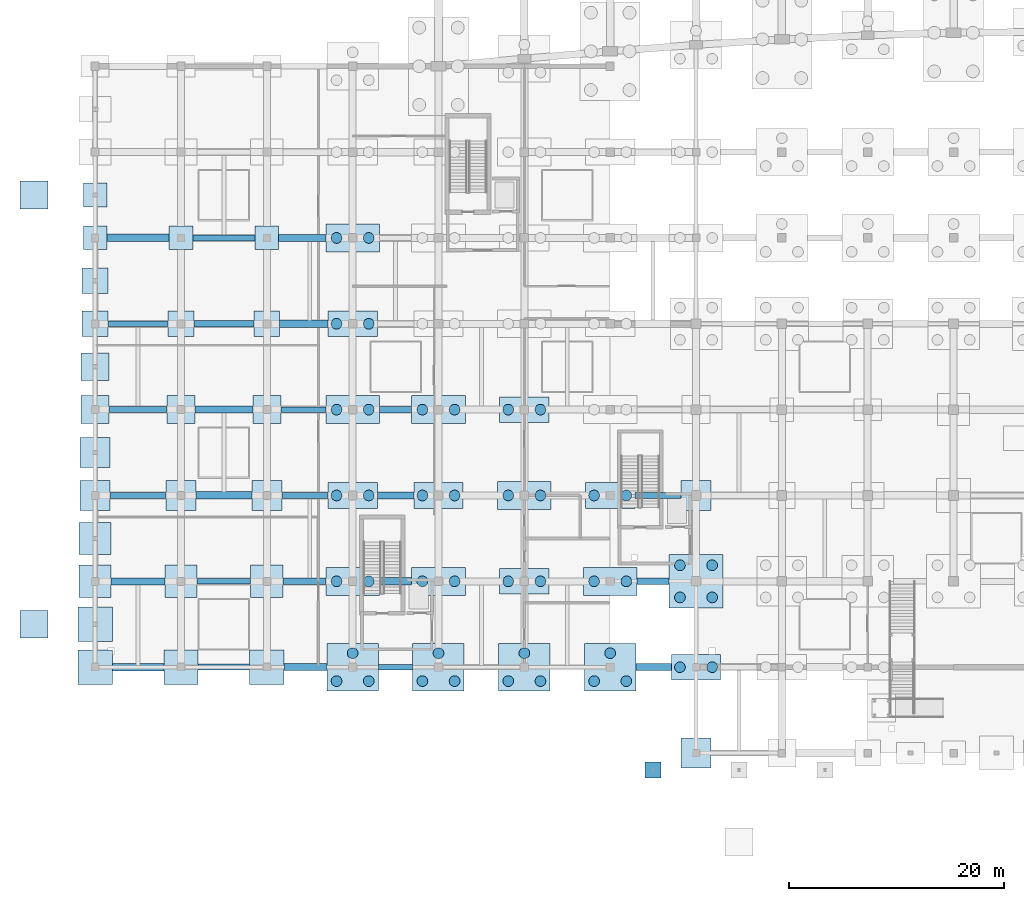
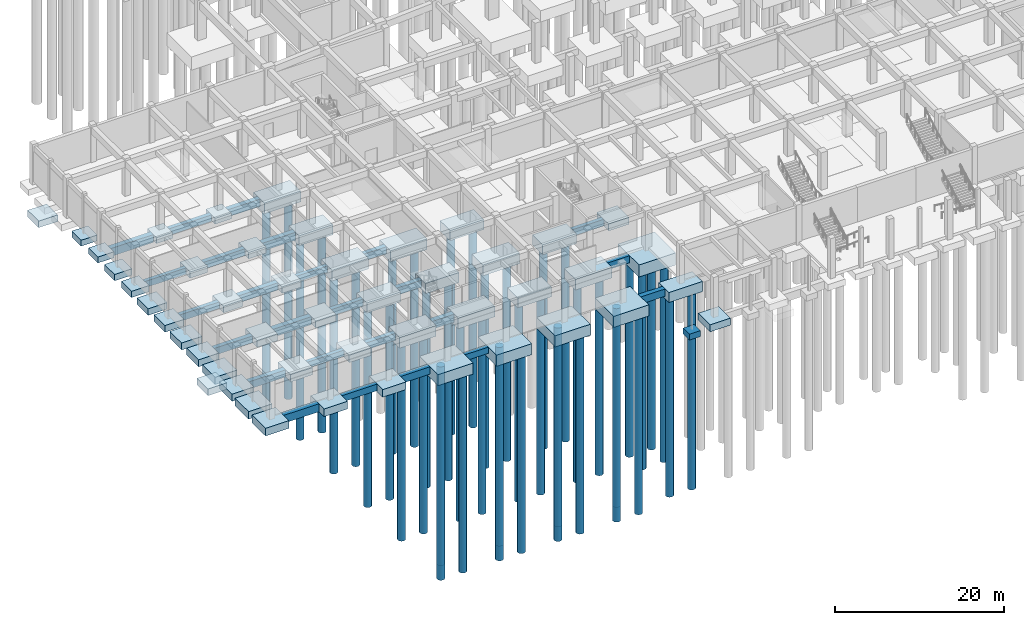
# One storey, part 1 of 45: 73 footings, 44 piles.
"""IFC4 building model written with IfcOpenShell, lengths in metres."""

from ifc_helpers import new_model, si_unit, direction, frame, origin, origin_2d, place, context, subcontext, project, spatial, rectangle, circle, extrude, material, material_profile, profile_set, type_object, element, save


model = new_model("IFC4")

# Units and contexts
model_context = context("Model", 3, precision=1e-05, world=origin(), true_north=direction((0.0, 1.0)))
body_context = subcontext(model_context, "Body", "Model", "MODEL_VIEW")
ifc_project = project(units=[si_unit("LENGTHUNIT", "METRE"), si_unit("AREAUNIT", "SQUARE_METRE"), si_unit("VOLUMEUNIT", "CUBIC_METRE"), si_unit("PLANEANGLEUNIT", "RADIAN"), si_unit("MASSUNIT", "GRAM", prefix="KILO")], contexts=[model_context])

# Site, building, storey
site_placement = place(None, origin())
site = spatial("IfcSite", under=ifc_project, at=site_placement, CompositionType="ELEMENT")
building_placement = place(site_placement, origin())
building = spatial("IfcBuilding", under=site, at=building_placement, Name="Kenh Van Central Station", CompositionType="ELEMENT")
storey_placement = place(building_placement, frame((0.0, 0.0, -5.39990234375)))
storey = spatial("IfcBuildingStorey", under=building, at=storey_placement, Name="B1", CompositionType="ELEMENT", Elevation=-5.39990234375)

# Footings
ifc_material = material(Name="Concrete C40/50", Category="concrete")
ifc_material_profile_1 = material_profile(ifc_material, rectangle(XDim=0.5, YDim=0.89990234375, at=origin_2d()), Name="RC 500x900")
ifc_profile_set_1 = profile_set([ifc_material_profile_1], Name="Concrete C40/50")
footing_type_1 = type_object("IfcFootingType", Name="FBM-500x900", PredefinedType="FOOTING_BEAM", material=ifc_profile_set_1)
footing_1_placement = place(storey_placement, frame((1.199951171875, 40.0, -0.85009765625), z_axis=(1.0, 0.0, 0.0), x_axis=(0.0, 1.0, 0.0)))
element("IfcFooting", 1, at=footing_1_placement, inside=storey, type_object=footing_type_1, Name="Ground tie beam 009", PredefinedType="FOOTING_BEAM", context=body_context, shape_type="SweptSolid", body=[
    extrude(rectangle(XDim=0.5, YDim=0.89990234375, at=origin_2d()), origin(), (0.0, 0.0, 1.0), 5.60009765625),
])
footing_2_placement = place(storey_placement, frame((9.5, 16.0, -0.85009765625), z_axis=(1.0, 0.0, 0.0), x_axis=(0.0, 1.0, 0.0)))
element("IfcFooting", 2, at=footing_2_placement, inside=storey, type_object=footing_type_1, Name="Ground tie beam 014", PredefinedType="FOOTING_BEAM", context=body_context, shape_type="SweptSolid", body=[
    extrude(rectangle(XDim=0.5, YDim=0.89990234375, at=origin_2d()), origin(), (0.0, 0.0, 1.0), 5.0),
])
footing_3_placement = place(storey_placement, frame((17.300048828125, 32.0, -0.85009765625), z_axis=(1.0, 0.0, 0.0), x_axis=(0.0, 1.0, 0.0)))
element("IfcFooting", 3, at=footing_3_placement, inside=storey, type_object=footing_type_1, Name="Ground tie beam 024", PredefinedType="FOOTING_BEAM", context=body_context, shape_type="SweptSolid", body=[
    extrude(rectangle(XDim=0.5, YDim=0.89990234375, at=origin_2d()), origin(), (0.0, 0.0, 1.0), 4.199951171875),
])
footing_4_placement = place(storey_placement, frame((26.39990234375, 8.0, -0.85009765625), z_axis=(1.0, 0.0, 0.0), x_axis=(0.0, 1.0, 0.0)))
element("IfcFooting", 4, at=footing_4_placement, inside=storey, type_object=footing_type_1, Name="Ground tie beam 029", PredefinedType="FOOTING_BEAM", context=body_context, shape_type="SweptSolid", body=[
    extrude(rectangle(XDim=0.5, YDim=0.89990234375, at=origin_2d()), origin(), (0.0, 0.0, 1.0), 3.2001953125),
])
ifc_material_profile_2 = material_profile(ifc_material, rectangle(XDim=0.550048828125, YDim=0.949951171875, at=origin_2d()), Name="RC 550x950")
ifc_profile_set_2 = profile_set([ifc_material_profile_2], Name="Concrete C40/50")
footing_type_2 = type_object("IfcFootingType", Name="FBM-550x950", PredefinedType="FOOTING_BEAM", material=ifc_profile_set_2)
footing_5_placement = place(storey_placement, frame((1.300048828125, 32.0, -0.875), z_axis=(1.0, 0.0, 0.0), x_axis=(0.0, 1.0, 0.0)))
element("IfcFooting", 5, at=footing_5_placement, inside=storey, type_object=footing_type_2, Name="Ground tie beam 008", PredefinedType="FOOTING_BEAM", context=body_context, shape_type="SweptSolid", body=[
    extrude(rectangle(XDim=0.550048828125, YDim=0.949951171875, at=origin_2d()), origin(), (0.0, 0.0, 1.0), 5.39990234375),
])
footing_6_placement = place(storey_placement, frame((9.60009765625, 8.0, -0.875), z_axis=(1.0, 0.0, 0.0), x_axis=(0.0, 1.0, 0.0)))
element("IfcFooting", 6, at=footing_6_placement, inside=storey, type_object=footing_type_2, Name="Ground tie beam 013", PredefinedType="FOOTING_BEAM", context=body_context, shape_type="SweptSolid", body=[
    extrude(rectangle(XDim=0.550048828125, YDim=0.949951171875, at=origin_2d()), origin(), (0.0, 0.0, 1.0), 4.7998046875),
])
footing_7_placement = place(storey_placement, frame((9.10009765625, 48.0, -0.875), z_axis=(1.0, 0.0, 0.0), x_axis=(0.0, 1.0, 0.0)))
element("IfcFooting", 7, at=footing_7_placement, inside=storey, type_object=footing_type_2, Name="Ground tie beam 018", PredefinedType="FOOTING_BEAM", context=body_context, shape_type="SweptSolid", body=[
    extrude(rectangle(XDim=0.550048828125, YDim=0.949951171875, at=origin_2d()), origin(), (0.0, 0.0, 1.0), 5.7998046875),
])
for number, where, z_axis, x_axis, name in (
    (8, (17.39990234375, 24.0, -0.875), (1.0, 0.0, 0.0), (0.0, 1.0, 0.0), "Ground tie beam 023"),
    (9, (50.300048828125, 24.0, -0.875), (1.0, 0.0, 0.0), (0.0, 1.0, 0.0), "Ground tie beam 038"),
):
    element("IfcFooting", number, at=place(storey_placement, frame(where, z_axis=z_axis, x_axis=x_axis)), inside=storey, type_object=footing_type_2, Name=name, PredefinedType="FOOTING_BEAM", context=body_context, shape_type="SweptSolid", body=[
        extrude(rectangle(XDim=0.550048828125, YDim=0.949951171875, at=origin_2d()), origin(), (0.0, 0.0, 1.0), 4.300048828125),
    ])
ifc_material_profile_3 = material_profile(ifc_material, rectangle(XDim=0.60009765625, YDim=1.0, at=origin_2d()), Name="RC 600x1000")
ifc_profile_set_3 = profile_set([ifc_material_profile_3], Name="Concrete C40/50")
footing_type_3 = type_object("IfcFootingType", Name="FBM-600x1000", PredefinedType="FOOTING_BEAM", material=ifc_profile_set_3)
footing_8_placement = place(storey_placement, frame((1.39990234375, 24.0, -0.900146484375), z_axis=(1.0, 0.0, 0.0), x_axis=(0.0, 1.0, 0.0)))
element("IfcFooting", 10, at=footing_8_placement, inside=storey, type_object=footing_type_3, Name="Ground tie beam 007", PredefinedType="FOOTING_BEAM", context=body_context, shape_type="SweptSolid", body=[
    extrude(rectangle(XDim=0.60009765625, YDim=1.0, at=origin_2d()), origin(), (0.0, 0.0, 1.0), 5.2001953125),
])
footing_9_placement = place(storey_placement, frame((9.199951171875, 40.0, -0.900146484375), z_axis=(1.0, 0.0, 0.0), x_axis=(0.0, 1.0, 0.0)))
element("IfcFooting", 11, at=footing_9_placement, inside=storey, type_object=footing_type_3, Name="Ground tie beam 017", PredefinedType="FOOTING_BEAM", context=body_context, shape_type="SweptSolid", body=[
    extrude(rectangle(XDim=0.60009765625, YDim=1.0, at=origin_2d()), origin(), (0.0, 0.0, 1.0), 5.60009765625),
])
footing_10_placement = place(storey_placement, frame((17.5, 16.0, -0.900146484375), z_axis=(1.0, 0.0, 0.0), x_axis=(0.0, 1.0, 0.0)))
element("IfcFooting", 12, at=footing_10_placement, inside=storey, type_object=footing_type_3, Name="Ground tie beam 022", PredefinedType="FOOTING_BEAM", context=body_context, shape_type="SweptSolid", body=[
    extrude(rectangle(XDim=0.60009765625, YDim=1.0, at=origin_2d()), origin(), (0.0, 0.0, 1.0), 4.0),
])
for number, where, z_axis, x_axis, name in (
    (13, (26.5, 32.0, -0.900146484375), (1.0, 0.0, 0.0), (0.0, 1.0, 0.0), "Ground tie beam 032"),
    (14, (50.5, 16.0, -0.900146484375), (1.0, 0.0, 0.0), (0.0, 1.0, 0.0), "Ground tie beam 037"),
):
    element("IfcFooting", number, at=place(storey_placement, frame(where, z_axis=z_axis, x_axis=x_axis)), inside=storey, type_object=footing_type_3, Name=name, PredefinedType="FOOTING_BEAM", context=body_context, shape_type="SweptSolid", body=[
        extrude(rectangle(XDim=0.60009765625, YDim=1.0, at=origin_2d()), origin(), (0.0, 0.0, 1.0), 3.0),
    ])
ifc_material_profile_4 = material_profile(ifc_material, rectangle(XDim=0.64990234375, YDim=1.050048828125, at=origin_2d()), Name="RC 650x1050")
ifc_profile_set_4 = profile_set([ifc_material_profile_4], Name="Concrete C40/50")
footing_type_4 = type_object("IfcFootingType", Name="FBM-650x1050", PredefinedType="FOOTING_BEAM", material=ifc_profile_set_4)
footing_11_placement = place(storey_placement, frame((1.5, 16.0, -0.925048828125), z_axis=(1.0, 0.0, 0.0), x_axis=(0.0, 1.0, 0.0)))
element("IfcFooting", 15, at=footing_11_placement, inside=storey, type_object=footing_type_4, Name="Ground tie beam 006", PredefinedType="FOOTING_BEAM", context=body_context, shape_type="SweptSolid", body=[
    extrude(rectangle(XDim=0.64990234375, YDim=1.050048828125, at=origin_2d()), origin(), (0.0, 0.0, 1.0), 5.0),
])
footing_12_placement = place(storey_placement, frame((9.300048828125, 32.0, -0.925048828125), z_axis=(1.0, 0.0, 0.0), x_axis=(0.0, 1.0, 0.0)))
element("IfcFooting", 16, at=footing_12_placement, inside=storey, type_object=footing_type_4, Name="Ground tie beam 016", PredefinedType="FOOTING_BEAM", context=body_context, shape_type="SweptSolid", body=[
    extrude(rectangle(XDim=0.64990234375, YDim=1.050048828125, at=origin_2d()), origin(), (0.0, 0.0, 1.0), 5.39990234375),
])
footing_13_placement = place(storey_placement, frame((17.60009765625, 8.0, -0.925048828125), z_axis=(1.0, 0.0, 0.0), x_axis=(0.0, 1.0, 0.0)))
element("IfcFooting", 17, at=footing_13_placement, inside=storey, type_object=footing_type_4, Name="Ground tie beam 021", PredefinedType="FOOTING_BEAM", context=body_context, shape_type="SweptSolid", body=[
    extrude(rectangle(XDim=0.64990234375, YDim=1.050048828125, at=origin_2d()), origin(), (0.0, 0.0, 1.0), 4.0),
])
footing_14_placement = place(storey_placement, frame((17.10009765625, 48.0, -0.925048828125), z_axis=(1.0, 0.0, 0.0), x_axis=(0.0, 1.0, 0.0)))
element("IfcFooting", 18, at=footing_14_placement, inside=storey, type_object=footing_type_4, Name="Ground tie beam 026", PredefinedType="FOOTING_BEAM", context=body_context, shape_type="SweptSolid", body=[
    extrude(rectangle(XDim=0.64990234375, YDim=1.050048828125, at=origin_2d()), origin(), (0.0, 0.0, 1.0), 4.39990234375),
])
footing_15_placement = place(storey_placement, frame((26.300048828125, 24.0, -0.925048828125), z_axis=(1.0, 0.0, 0.0), x_axis=(0.0, 1.0, 0.0)))
element("IfcFooting", 19, at=footing_15_placement, inside=storey, type_object=footing_type_4, Name="Ground tie beam 031", PredefinedType="FOOTING_BEAM", context=body_context, shape_type="SweptSolid", body=[
    extrude(rectangle(XDim=0.64990234375, YDim=1.050048828125, at=origin_2d()), origin(), (0.0, 0.0, 1.0), 3.39990234375),
])
footing_16_placement = place(storey_placement, frame((50.39990234375, 8.0, -0.925048828125), z_axis=(1.0, 0.0, 0.0), x_axis=(0.0, 1.0, 0.0)))
element("IfcFooting", 20, at=footing_16_placement, inside=storey, type_object=footing_type_4, Name="Ground tie beam 036", PredefinedType="FOOTING_BEAM", context=body_context, shape_type="SweptSolid", body=[
    extrude(rectangle(XDim=0.64990234375, YDim=1.050048828125, at=origin_2d()), origin(), (0.0, 0.0, 1.0), 3.300048828125),
])
ifc_material_profile_5 = material_profile(ifc_material, rectangle(XDim=0.699951171875, YDim=1.14990234375, at=origin_2d()), Name="RC 700x1150")
ifc_profile_set_5 = profile_set([ifc_material_profile_5], Name="Concrete C40/50")
footing_type_5 = type_object("IfcFootingType", Name="FBM-700x1150", PredefinedType="FOOTING_BEAM", material=ifc_profile_set_5)
footing_17_placement = place(storey_placement, frame((1.60009765625, 8.0, -0.97509765625), z_axis=(1.0, 0.0, 0.0), x_axis=(0.0, 1.0, 0.0)))
element("IfcFooting", 21, at=footing_17_placement, inside=storey, type_object=footing_type_5, Name="Ground tie beam 005", PredefinedType="FOOTING_BEAM", context=body_context, shape_type="SweptSolid", body=[
    extrude(rectangle(XDim=0.699951171875, YDim=1.14990234375, at=origin_2d()), origin(), (0.0, 0.0, 1.0), 4.7998046875),
])
footing_18_placement = place(storey_placement, frame((1.10009765625, 48.0, -0.97509765625), z_axis=(1.0, 0.0, 0.0), x_axis=(0.0, 1.0, 0.0)))
element("IfcFooting", 22, at=footing_18_placement, inside=storey, type_object=footing_type_5, Name="Ground tie beam 010", PredefinedType="FOOTING_BEAM", context=body_context, shape_type="SweptSolid", body=[
    extrude(rectangle(XDim=0.699951171875, YDim=1.14990234375, at=origin_2d()), origin(), (0.0, 0.0, 1.0), 5.7998046875),
])
footing_19_placement = place(storey_placement, frame((9.39990234375, 24.0, -0.97509765625), z_axis=(1.0, 0.0, 0.0), x_axis=(0.0, 1.0, 0.0)))
element("IfcFooting", 23, at=footing_19_placement, inside=storey, type_object=footing_type_5, Name="Ground tie beam 015", PredefinedType="FOOTING_BEAM", context=body_context, shape_type="SweptSolid", body=[
    extrude(rectangle(XDim=0.699951171875, YDim=1.14990234375, at=origin_2d()), origin(), (0.0, 0.0, 1.0), 5.2001953125),
])
footing_20_placement = place(storey_placement, frame((17.199951171875, 40.0, -0.97509765625), z_axis=(1.0, 0.0, 0.0), x_axis=(0.0, 1.0, 0.0)))
element("IfcFooting", 24, at=footing_20_placement, inside=storey, type_object=footing_type_5, Name="Ground tie beam 025", PredefinedType="FOOTING_BEAM", context=body_context, shape_type="SweptSolid", body=[
    extrude(rectangle(XDim=0.699951171875, YDim=1.14990234375, at=origin_2d()), origin(), (0.0, 0.0, 1.0), 4.5),
])
footing_21_placement = place(storey_placement, frame((26.5, 16.0, -0.97509765625), z_axis=(1.0, 0.0, 0.0), x_axis=(0.0, 1.0, 0.0)))
element("IfcFooting", 25, at=footing_21_placement, inside=storey, type_object=footing_type_5, Name="Ground tie beam 030", PredefinedType="FOOTING_BEAM", context=body_context, shape_type="SweptSolid", body=[
    extrude(rectangle(XDim=0.699951171875, YDim=1.14990234375, at=origin_2d()), origin(), (0.0, 0.0, 1.0), 3.0),
])
footing_type_6 = type_object("IfcFootingType", Name="FCAP-2P-4600x2400x1450", PredefinedType="PILE_CAP", material=ifc_material)
for number, where, z_axis, x_axis, name in (
    (26, (24.0, 24.0, -1.85009765625), (0.0, 0.0, 1.0), (1.0, 0.0, 0.0), "Foundation FDN-087"),
    (27, (24.0, 40.0, -1.85009765625), (0.0, 0.0, 1.0), (1.0, 0.0, 0.0), "Foundation FDN-089"),
    (28, (32.0, 24.0, -1.85009765625), (0.0, 0.0, 1.0), (1.0, 0.0, 0.0), "Foundation FDN-095"),
    (29, (40.0, 16.0, -1.85009765625), (0.0, 0.0, 1.0), (1.0, 0.0, 0.0), "Foundation FDN-101"),
    (30, (40.0, 32.0, -1.85009765625), (0.0, 0.0, 1.0), (1.0, 0.0, 0.0), "Foundation FDN-103"),
    (31, (48.0, 24.0, -1.85009765625), (0.0, 0.0, 1.0), (1.0, 0.0, 0.0), "Foundation FDN-109"),
    (32, (56.0, 8.0, -1.85009765625), (0.0, 0.0, 1.0), (1.0, 0.0, 0.0), "Foundation FDN-125"),
):
    element("IfcFooting", number, at=place(storey_placement, frame(where, z_axis=z_axis, x_axis=x_axis)), inside=storey, type_object=footing_type_6, Name=name, PredefinedType="PILE_CAP", context=body_context, shape_type="SweptSolid", body=[
        extrude(rectangle(XDim=4.60009765625, YDim=2.39990234375, at=origin_2d()), origin(), (0.0, 0.0, 1.0), 1.449951171875),
    ])
footing_type_7 = type_object("IfcFootingType", Name="FCAP-2P-5000x2600x1550", PredefinedType="PILE_CAP", material=ifc_material)
for number, where, z_axis, x_axis, name in (
    (33, (24.0, 16.0, -1.9501953125), (0.0, 0.0, 1.0), (1.0, 0.0, 0.0), "Foundation FDN-086"),
    (34, (24.0, 32.0, -1.9501953125), (0.0, 0.0, 1.0), (1.0, 0.0, 0.0), "Foundation FDN-088"),
    (35, (24.0, 48.0, -1.9501953125), (0.0, 0.0, 1.0), (1.0, 0.0, 0.0), "Foundation FDN-090"),
    (36, (32.0, 16.0, -1.9501953125), (0.0, 0.0, 1.0), (1.0, 0.0, 0.0), "Foundation FDN-094"),
    (37, (32.0, 32.0, -1.9501953125), (0.0, 0.0, 1.0), (1.0, 0.0, 0.0), "Foundation FDN-096"),
    (38, (40.0, 24.0, -1.9501953125), (0.0, 0.0, 1.0), (1.0, 0.0, 0.0), "Foundation FDN-102"),
    (39, (48.0, 16.0, -1.9501953125), (0.0, 0.0, 1.0), (1.0, 0.0, 0.0), "Foundation FDN-108"),
):
    element("IfcFooting", number, at=place(storey_placement, frame(where, z_axis=z_axis, x_axis=x_axis)), inside=storey, type_object=footing_type_7, Name=name, PredefinedType="PILE_CAP", context=body_context, shape_type="SweptSolid", body=[
        extrude(rectangle(XDim=5.0, YDim=2.60009765625, at=origin_2d()), origin(), (0.0, 0.0, 1.0), 1.550048828125),
    ])
footing_type_8 = type_object("IfcFootingType", Name="FCAP-3P-4800x4400x1600", PredefinedType="PILE_CAP", material=ifc_material)
for number, where, z_axis, x_axis, name in (
    (40, (24.0, 8.0, -2.000244140625), (0.0, 0.0, 1.0), (1.0, 0.0, 0.0), "Foundation FDN-085"),
    (41, (32.0, 8.0, -2.000244140625), (0.0, 0.0, 1.0), (1.0, 0.0, 0.0), "Foundation FDN-093"),
    (42, (40.0, 8.0, -2.000244140625), (0.0, 0.0, 1.0), (1.0, 0.0, 0.0), "Foundation FDN-100"),
    (43, (48.0, 8.0, -2.000244140625), (0.0, 0.0, 1.0), (1.0, 0.0, 0.0), "Foundation FDN-107"),
):
    element("IfcFooting", number, at=place(storey_placement, frame(where, z_axis=z_axis, x_axis=x_axis)), inside=storey, type_object=footing_type_8, Name=name, PredefinedType="PILE_CAP", context=body_context, shape_type="SweptSolid", body=[
        extrude(rectangle(XDim=4.800048828125, YDim=4.39990234375, at=origin_2d()), origin(), (0.0, 0.0, 1.0), 1.60009765625),
    ])
footing_type_9 = type_object("IfcFootingType", Name="FCAP-4P-5000x5000x1750", PredefinedType="PILE_CAP", material=ifc_material)
footing_22_placement = place(storey_placement, frame((56.0, 16.0, -2.150146484375), z_axis=(0.0, 0.0, 1.0), x_axis=(1.0, 0.0, 0.0)))
element("IfcFooting", 44, at=footing_22_placement, inside=storey, type_object=footing_type_9, Name="Foundation FDN-138", PredefinedType="PILE_CAP", context=body_context, shape_type="SweptSolid", body=[
    extrude(rectangle(XDim=5.0, YDim=5.0, at=origin_2d()), origin(), (0.0, 0.0, 1.0), 1.75),
])
footing_type_10 = type_object("IfcFootingType", Name="FPAD-2200x2200x850", PredefinedType="PAD_FOOTING", material=ifc_material)
for number, where, z_axis, x_axis, name in (
    (45, (0.0, 48.0, -1.250244140625), (0.0, 0.0, 1.0), (1.0, 0.0, 0.0), "Foundation FDN-066"),
    (46, (8.0, 48.0, -1.250244140625), (0.0, 0.0, 1.0), (1.0, 0.0, 0.0), "Foundation FDN-074"),
    (47, (16.0, 48.0, -1.250244140625), (0.0, 0.0, 1.0), (1.0, 0.0, 0.0), "Foundation FDN-082"),
    (48, (0.0, 52.0, -1.250244140625), (0.0, 0.0, 1.0), (1.0, 0.0, 0.0), "Foundation FDN-119"),
):
    element("IfcFooting", number, at=place(storey_placement, frame(where, z_axis=z_axis, x_axis=x_axis)), inside=storey, type_object=footing_type_10, Name=name, PredefinedType="PAD_FOOTING", context=body_context, shape_type="SweptSolid", body=[
        extrude(rectangle(XDim=2.199951171875, YDim=2.199951171875, at=origin_2d()), origin(), (0.0, 0.0, 1.0), 0.85009765625),
    ])
footing_23_placement = place(storey_placement, frame((52.0, -1.60009765625, -0.85009765625), z_axis=(0.0, 0.0, 1.0), x_axis=(1.0, 0.0, 0.0)))
element("IfcFooting", 49, at=footing_23_placement, inside=storey, type_object=footing_type_10, Name="B1 forecourt apron pad footing 11", PredefinedType="PAD_FOOTING", context=body_context, shape_type="SweptSolid", body=[
    extrude(rectangle(XDim=1.5, YDim=1.5, at=origin_2d()), origin(), (0.0, 0.0, 1.0), 0.85009765625),
])
footing_type_11 = type_object("IfcFootingType", Name="FPAD-2400x2400x900", PredefinedType="PAD_FOOTING", material=ifc_material)
for number, where, z_axis, x_axis, name in (
    (50, (0.0, 40.0, -1.300048828125), (0.0, 0.0, 1.0), (1.0, 0.0, 0.0), "Foundation FDN-065"),
    (51, (8.0, 40.0, -1.300048828125), (0.0, 0.0, 1.0), (1.0, 0.0, 0.0), "Foundation FDN-073"),
    (52, (16.0, 40.0, -1.300048828125), (0.0, 0.0, 1.0), (1.0, 0.0, 0.0), "Foundation FDN-081"),
    (53, (0.0, 44.0, -1.300048828125), (0.0, 0.0, 1.0), (1.0, 0.0, 0.0), "Foundation FDN-118"),
):
    element("IfcFooting", number, at=place(storey_placement, frame(where, z_axis=z_axis, x_axis=x_axis)), inside=storey, type_object=footing_type_11, Name=name, PredefinedType="PAD_FOOTING", context=body_context, shape_type="SweptSolid", body=[
        extrude(rectangle(XDim=2.39990234375, YDim=2.39990234375, at=origin_2d()), origin(), (0.0, 0.0, 1.0), 0.89990234375),
    ])
footing_type_12 = type_object("IfcFootingType", Name="FPAD-2600x2600x950", PredefinedType="PAD_FOOTING", material=ifc_material)
for number, where, z_axis, x_axis, name in (
    (54, (0.0, 32.0, -1.35009765625), (0.0, 0.0, 1.0), (1.0, 0.0, 0.0), "Foundation FDN-064"),
    (55, (8.0, 32.0, -1.35009765625), (0.0, 0.0, 1.0), (1.0, 0.0, 0.0), "Foundation FDN-072"),
    (56, (16.0, 32.0, -1.35009765625), (0.0, 0.0, 1.0), (1.0, 0.0, 0.0), "Foundation FDN-080"),
    (57, (0.0, 36.0, -1.35009765625), (0.0, 0.0, 1.0), (1.0, 0.0, 0.0), "Foundation FDN-117"),
    (58, (-5.699951171875, 12.0, 3.60009765625), (0.0, 0.0, 1.0), (1.0, 0.0, 0.0), "West Street Arcade South Accessible Ramp landing footing"),
    (59, (-5.699951171875, 52.0, 3.60009765625), (0.0, 0.0, 1.0), (1.0, 0.0, 0.0), "West Street Arcade North Accessible Ramp landing footing"),
):
    element("IfcFooting", number, at=place(storey_placement, frame(where, z_axis=z_axis, x_axis=x_axis)), inside=storey, type_object=footing_type_12, Name=name, PredefinedType="PAD_FOOTING", context=body_context, shape_type="SweptSolid", body=[
        extrude(rectangle(XDim=2.60009765625, YDim=2.60009765625, at=origin_2d()), origin(), (0.0, 0.0, 1.0), 0.949951171875),
    ])
footing_type_13 = type_object("IfcFootingType", Name="FPAD-2800x2800x1000", PredefinedType="PAD_FOOTING", material=ifc_material)
for number, where, z_axis, x_axis, name in (
    (60, (0.0, 24.0, -1.400146484375), (0.0, 0.0, 1.0), (1.0, 0.0, 0.0), "Foundation FDN-063"),
    (61, (8.0, 24.0, -1.400146484375), (0.0, 0.0, 1.0), (1.0, 0.0, 0.0), "Foundation FDN-071"),
    (62, (16.0, 24.0, -1.400146484375), (0.0, 0.0, 1.0), (1.0, 0.0, 0.0), "Foundation FDN-079"),
    (63, (0.0, 28.0, -1.400146484375), (0.0, 0.0, 1.0), (1.0, 0.0, 0.0), "Foundation FDN-116"),
    (64, (56.0, 0.0, -1.400146484375), (0.0, 0.0, 1.0), (1.0, 0.0, 0.0), "Foundation FDN-124"),
    (65, (56.0, 24.0, -1.400146484375), (0.0, 0.0, 1.0), (1.0, 0.0, 0.0), "Foundation FDN-139"),
):
    element("IfcFooting", number, at=place(storey_placement, frame(where, z_axis=z_axis, x_axis=x_axis)), inside=storey, type_object=footing_type_13, Name=name, PredefinedType="PAD_FOOTING", context=body_context, shape_type="SweptSolid", body=[
        extrude(rectangle(XDim=2.800048828125, YDim=2.800048828125, at=origin_2d()), origin(), (0.0, 0.0, 1.0), 1.0),
    ])
footing_type_14 = type_object("IfcFootingType", Name="FPAD-3000x3000x1050", PredefinedType="PAD_FOOTING", material=ifc_material)
for number, where, z_axis, x_axis, name in (
    (66, (0.0, 16.0, -1.4501953125), (0.0, 0.0, 1.0), (1.0, 0.0, 0.0), "Foundation FDN-062"),
    (67, (8.0, 16.0, -1.4501953125), (0.0, 0.0, 1.0), (1.0, 0.0, 0.0), "Foundation FDN-070"),
    (68, (16.0, 16.0, -1.4501953125), (0.0, 0.0, 1.0), (1.0, 0.0, 0.0), "Foundation FDN-078"),
    (69, (0.0, 20.0, -1.4501953125), (0.0, 0.0, 1.0), (1.0, 0.0, 0.0), "Foundation FDN-115"),
):
    element("IfcFooting", number, at=place(storey_placement, frame(where, z_axis=z_axis, x_axis=x_axis)), inside=storey, type_object=footing_type_14, Name=name, PredefinedType="PAD_FOOTING", context=body_context, shape_type="SweptSolid", body=[
        extrude(rectangle(XDim=3.0, YDim=3.0, at=origin_2d()), origin(), (0.0, 0.0, 1.0), 1.050048828125),
    ])
footing_type_15 = type_object("IfcFootingType", Name="FPAD-3200x3200x1100", PredefinedType="PAD_FOOTING", material=ifc_material)
for number, where, z_axis, x_axis, name in (
    (70, (0.0, 8.0, -1.500244140625), (0.0, 0.0, 1.0), (1.0, 0.0, 0.0), "Foundation FDN-061"),
    (71, (8.0, 8.0, -1.500244140625), (0.0, 0.0, 1.0), (1.0, 0.0, 0.0), "Foundation FDN-069"),
    (72, (16.0, 8.0, -1.500244140625), (0.0, 0.0, 1.0), (1.0, 0.0, 0.0), "Foundation FDN-077"),
    (73, (0.0, 12.0, -1.500244140625), (0.0, 0.0, 1.0), (1.0, 0.0, 0.0), "Foundation FDN-114"),
):
    element("IfcFooting", number, at=place(storey_placement, frame(where, z_axis=z_axis, x_axis=x_axis)), inside=storey, type_object=footing_type_15, Name=name, PredefinedType="PAD_FOOTING", context=body_context, shape_type="SweptSolid", body=[
        extrude(rectangle(XDim=3.199951171875, YDim=3.199951171875, at=origin_2d()), origin(), (0.0, 0.0, 1.0), 1.10009765625),
    ])

# Piles
ifc_material_profile_6 = material_profile(ifc_material, circle(Radius=0.5, at=origin_2d()), Name="PILE D1000")
ifc_profile_set_6 = profile_set([ifc_material_profile_6], Name="Concrete C40/50")
pile_type = type_object("IfcPileType", Name="PILE-BORED-1000", PredefinedType="BORED", material=ifc_profile_set_6)
for number, where, z_axis, x_axis, name in (
    (74, (22.5, 6.699951171875, -1.900146484375), (0.0, 0.0, -1.0), (1.0, 0.0, 0.0), "Bored pile 0245"),
    (75, (25.5, 6.699951171875, -1.900146484375), (0.0, 0.0, -1.0), (1.0, 0.0, 0.0), "Bored pile 0246"),
    (76, (24.0, 9.300048828125, -1.900146484375), (0.0, 0.0, -1.0), (1.0, 0.0, 0.0), "Bored pile 0247"),
):
    element("IfcPile", number, at=place(storey_placement, frame(where, z_axis=z_axis, x_axis=x_axis)), inside=storey, type_object=pile_type, Name=name, PredefinedType="BORED", context=body_context, shape_type="SweptSolid", body=[
        extrude(circle(Radius=0.5, at=origin_2d()), origin(), (0.0, 0.0, 1.0), 28.699951171875),
    ])
for number, where, z_axis, x_axis, name in (
    (77, (22.5, 16.0, -1.85009765625), (0.0, 0.0, -1.0), (1.0, 0.0, 0.0), "Bored pile 0248"),
    (78, (25.5, 16.0, -1.85009765625), (0.0, 0.0, -1.0), (1.0, 0.0, 0.0), "Bored pile 0249"),
):
    element("IfcPile", number, at=place(storey_placement, frame(where, z_axis=z_axis, x_axis=x_axis)), inside=storey, type_object=pile_type, Name=name, PredefinedType="BORED", context=body_context, shape_type="SweptSolid", body=[
        extrude(circle(Radius=0.5, at=origin_2d()), origin(), (0.0, 0.0, 1.0), 28.75),
    ])
for number, where, z_axis, x_axis, name in (
    (79, (22.5, 24.0, -1.75), (0.0, 0.0, -1.0), (1.0, 0.0, 0.0), "Bored pile 0250"),
    (80, (25.5, 24.0, -1.75), (0.0, 0.0, -1.0), (1.0, 0.0, 0.0), "Bored pile 0251"),
):
    element("IfcPile", number, at=place(storey_placement, frame(where, z_axis=z_axis, x_axis=x_axis)), inside=storey, type_object=pile_type, Name=name, PredefinedType="BORED", context=body_context, shape_type="SweptSolid", body=[
        extrude(circle(Radius=0.5, at=origin_2d()), origin(), (0.0, 0.0, 1.0), 28.85009765625),
    ])
for number, where, z_axis, x_axis, name in (
    (81, (22.5, 32.0, -1.85009765625), (0.0, 0.0, -1.0), (1.0, 0.0, 0.0), "Bored pile 0252"),
    (82, (25.5, 32.0, -1.85009765625), (0.0, 0.0, -1.0), (1.0, 0.0, 0.0), "Bored pile 0253"),
):
    element("IfcPile", number, at=place(storey_placement, frame(where, z_axis=z_axis, x_axis=x_axis)), inside=storey, type_object=pile_type, Name=name, PredefinedType="BORED", context=body_context, shape_type="SweptSolid", body=[
        extrude(circle(Radius=0.5, at=origin_2d()), origin(), (0.0, 0.0, 1.0), 28.75),
    ])
for number, where, z_axis, x_axis, name in (
    (83, (22.5, 40.0, -1.75), (0.0, 0.0, -1.0), (1.0, 0.0, 0.0), "Bored pile 0254"),
    (84, (25.5, 40.0, -1.75), (0.0, 0.0, -1.0), (1.0, 0.0, 0.0), "Bored pile 0255"),
):
    element("IfcPile", number, at=place(storey_placement, frame(where, z_axis=z_axis, x_axis=x_axis)), inside=storey, type_object=pile_type, Name=name, PredefinedType="BORED", context=body_context, shape_type="SweptSolid", body=[
        extrude(circle(Radius=0.5, at=origin_2d()), origin(), (0.0, 0.0, 1.0), 28.85009765625),
    ])
for number, where, z_axis, x_axis, name in (
    (85, (22.5, 48.0, -1.85009765625), (0.0, 0.0, -1.0), (1.0, 0.0, 0.0), "Bored pile 0256"),
    (86, (25.5, 48.0, -1.85009765625), (0.0, 0.0, -1.0), (1.0, 0.0, 0.0), "Bored pile 0257"),
):
    element("IfcPile", number, at=place(storey_placement, frame(where, z_axis=z_axis, x_axis=x_axis)), inside=storey, type_object=pile_type, Name=name, PredefinedType="BORED", context=body_context, shape_type="SweptSolid", body=[
        extrude(circle(Radius=0.5, at=origin_2d()), origin(), (0.0, 0.0, 1.0), 28.75),
    ])
for number, where, z_axis, x_axis, name in (
    (87, (30.5, 6.699951171875, -1.900146484375), (0.0, 0.0, -1.0), (1.0, 0.0, 0.0), "Bored pile 0263"),
    (88, (33.5, 6.699951171875, -1.900146484375), (0.0, 0.0, -1.0), (1.0, 0.0, 0.0), "Bored pile 0264"),
    (89, (32.0, 9.300048828125, -1.900146484375), (0.0, 0.0, -1.0), (1.0, 0.0, 0.0), "Bored pile 0265"),
):
    element("IfcPile", number, at=place(storey_placement, frame(where, z_axis=z_axis, x_axis=x_axis)), inside=storey, type_object=pile_type, Name=name, PredefinedType="BORED", context=body_context, shape_type="SweptSolid", body=[
        extrude(circle(Radius=0.5, at=origin_2d()), origin(), (0.0, 0.0, 1.0), 28.699951171875),
    ])
for number, where, z_axis, x_axis, name in (
    (90, (30.5, 16.0, -1.85009765625), (0.0, 0.0, -1.0), (1.0, 0.0, 0.0), "Bored pile 0266"),
    (91, (33.5, 16.0, -1.85009765625), (0.0, 0.0, -1.0), (1.0, 0.0, 0.0), "Bored pile 0267"),
):
    element("IfcPile", number, at=place(storey_placement, frame(where, z_axis=z_axis, x_axis=x_axis)), inside=storey, type_object=pile_type, Name=name, PredefinedType="BORED", context=body_context, shape_type="SweptSolid", body=[
        extrude(circle(Radius=0.5, at=origin_2d()), origin(), (0.0, 0.0, 1.0), 28.75),
    ])
for number, where, z_axis, x_axis, name in (
    (92, (30.5, 24.0, -1.75), (0.0, 0.0, -1.0), (1.0, 0.0, 0.0), "Bored pile 0268"),
    (93, (33.5, 24.0, -1.75), (0.0, 0.0, -1.0), (1.0, 0.0, 0.0), "Bored pile 0269"),
):
    element("IfcPile", number, at=place(storey_placement, frame(where, z_axis=z_axis, x_axis=x_axis)), inside=storey, type_object=pile_type, Name=name, PredefinedType="BORED", context=body_context, shape_type="SweptSolid", body=[
        extrude(circle(Radius=0.5, at=origin_2d()), origin(), (0.0, 0.0, 1.0), 28.85009765625),
    ])
for number, where, z_axis, x_axis, name in (
    (94, (30.5, 32.0, -1.85009765625), (0.0, 0.0, -1.0), (1.0, 0.0, 0.0), "Bored pile 0270"),
    (95, (33.5, 32.0, -1.85009765625), (0.0, 0.0, -1.0), (1.0, 0.0, 0.0), "Bored pile 0271"),
):
    element("IfcPile", number, at=place(storey_placement, frame(where, z_axis=z_axis, x_axis=x_axis)), inside=storey, type_object=pile_type, Name=name, PredefinedType="BORED", context=body_context, shape_type="SweptSolid", body=[
        extrude(circle(Radius=0.5, at=origin_2d()), origin(), (0.0, 0.0, 1.0), 28.75),
    ])
for number, where, z_axis, x_axis, name in (
    (96, (38.5, 6.699951171875, -1.900146484375), (0.0, 0.0, -1.0), (1.0, 0.0, 0.0), "Bored pile 0278"),
    (97, (41.5, 6.699951171875, -1.900146484375), (0.0, 0.0, -1.0), (1.0, 0.0, 0.0), "Bored pile 0279"),
    (98, (40.0, 9.300048828125, -1.900146484375), (0.0, 0.0, -1.0), (1.0, 0.0, 0.0), "Bored pile 0280"),
):
    element("IfcPile", number, at=place(storey_placement, frame(where, z_axis=z_axis, x_axis=x_axis)), inside=storey, type_object=pile_type, Name=name, PredefinedType="BORED", context=body_context, shape_type="SweptSolid", body=[
        extrude(circle(Radius=0.5, at=origin_2d()), origin(), (0.0, 0.0, 1.0), 28.699951171875),
    ])
for number, where, z_axis, x_axis, name in (
    (99, (38.5, 16.0, -1.75), (0.0, 0.0, -1.0), (1.0, 0.0, 0.0), "Bored pile 0281"),
    (100, (41.5, 16.0, -1.75), (0.0, 0.0, -1.0), (1.0, 0.0, 0.0), "Bored pile 0282"),
):
    element("IfcPile", number, at=place(storey_placement, frame(where, z_axis=z_axis, x_axis=x_axis)), inside=storey, type_object=pile_type, Name=name, PredefinedType="BORED", context=body_context, shape_type="SweptSolid", body=[
        extrude(circle(Radius=0.5, at=origin_2d()), origin(), (0.0, 0.0, 1.0), 28.85009765625),
    ])
for number, where, z_axis, x_axis, name in (
    (101, (38.5, 24.0, -1.85009765625), (0.0, 0.0, -1.0), (1.0, 0.0, 0.0), "Bored pile 0283"),
    (102, (41.5, 24.0, -1.85009765625), (0.0, 0.0, -1.0), (1.0, 0.0, 0.0), "Bored pile 0284"),
):
    element("IfcPile", number, at=place(storey_placement, frame(where, z_axis=z_axis, x_axis=x_axis)), inside=storey, type_object=pile_type, Name=name, PredefinedType="BORED", context=body_context, shape_type="SweptSolid", body=[
        extrude(circle(Radius=0.5, at=origin_2d()), origin(), (0.0, 0.0, 1.0), 28.75),
    ])
for number, where, z_axis, x_axis, name in (
    (103, (38.5, 32.0, -1.75), (0.0, 0.0, -1.0), (1.0, 0.0, 0.0), "Bored pile 0285"),
    (104, (41.5, 32.0, -1.75), (0.0, 0.0, -1.0), (1.0, 0.0, 0.0), "Bored pile 0286"),
):
    element("IfcPile", number, at=place(storey_placement, frame(where, z_axis=z_axis, x_axis=x_axis)), inside=storey, type_object=pile_type, Name=name, PredefinedType="BORED", context=body_context, shape_type="SweptSolid", body=[
        extrude(circle(Radius=0.5, at=origin_2d()), origin(), (0.0, 0.0, 1.0), 28.85009765625),
    ])
for number, where, z_axis, x_axis, name in (
    (105, (46.5, 6.699951171875, -1.900146484375), (0.0, 0.0, -1.0), (1.0, 0.0, 0.0), "Bored pile 0293"),
    (106, (49.5, 6.699951171875, -1.900146484375), (0.0, 0.0, -1.0), (1.0, 0.0, 0.0), "Bored pile 0294"),
    (107, (48.0, 9.300048828125, -1.900146484375), (0.0, 0.0, -1.0), (1.0, 0.0, 0.0), "Bored pile 0295"),
):
    element("IfcPile", number, at=place(storey_placement, frame(where, z_axis=z_axis, x_axis=x_axis)), inside=storey, type_object=pile_type, Name=name, PredefinedType="BORED", context=body_context, shape_type="SweptSolid", body=[
        extrude(circle(Radius=0.5, at=origin_2d()), origin(), (0.0, 0.0, 1.0), 28.699951171875),
    ])
for number, where, z_axis, x_axis, name in (
    (108, (46.5, 16.0, -1.85009765625), (0.0, 0.0, -1.0), (1.0, 0.0, 0.0), "Bored pile 0296"),
    (109, (49.5, 16.0, -1.85009765625), (0.0, 0.0, -1.0), (1.0, 0.0, 0.0), "Bored pile 0297"),
):
    element("IfcPile", number, at=place(storey_placement, frame(where, z_axis=z_axis, x_axis=x_axis)), inside=storey, type_object=pile_type, Name=name, PredefinedType="BORED", context=body_context, shape_type="SweptSolid", body=[
        extrude(circle(Radius=0.5, at=origin_2d()), origin(), (0.0, 0.0, 1.0), 28.75),
    ])
for number, where, z_axis, x_axis, name in (
    (110, (46.5, 24.0, -1.75), (0.0, 0.0, -1.0), (1.0, 0.0, 0.0), "Bored pile 0298"),
    (111, (49.5, 24.0, -1.75), (0.0, 0.0, -1.0), (1.0, 0.0, 0.0), "Bored pile 0299"),
    (112, (54.5, 8.0, -1.75), (0.0, 0.0, -1.0), (1.0, 0.0, 0.0), "Bored pile 0308"),
    (113, (57.5, 8.0, -1.75), (0.0, 0.0, -1.0), (1.0, 0.0, 0.0), "Bored pile 0309"),
):
    element("IfcPile", number, at=place(storey_placement, frame(where, z_axis=z_axis, x_axis=x_axis)), inside=storey, type_object=pile_type, Name=name, PredefinedType="BORED", context=body_context, shape_type="SweptSolid", body=[
        extrude(circle(Radius=0.5, at=origin_2d()), origin(), (0.0, 0.0, 1.0), 28.85009765625),
    ])
for number, where, z_axis, x_axis, name in (
    (114, (54.5, 14.5, -2.050048828125), (0.0, 0.0, -1.0), (1.0, 0.0, 0.0), "Bored pile 0320"),
    (115, (54.5, 17.5, -2.050048828125), (0.0, 0.0, -1.0), (1.0, 0.0, 0.0), "Bored pile 0321"),
    (116, (57.5, 14.5, -2.050048828125), (0.0, 0.0, -1.0), (1.0, 0.0, 0.0), "Bored pile 0322"),
    (117, (57.5, 17.5, -2.050048828125), (0.0, 0.0, -1.0), (1.0, 0.0, 0.0), "Bored pile 0323"),
):
    element("IfcPile", number, at=place(storey_placement, frame(where, z_axis=z_axis, x_axis=x_axis)), inside=storey, type_object=pile_type, Name=name, PredefinedType="BORED", context=body_context, shape_type="SweptSolid", body=[
        extrude(circle(Radius=0.5, at=origin_2d()), origin(), (0.0, 0.0, 1.0), 28.550048828125),
    ])

save(model, "model.ifc")
